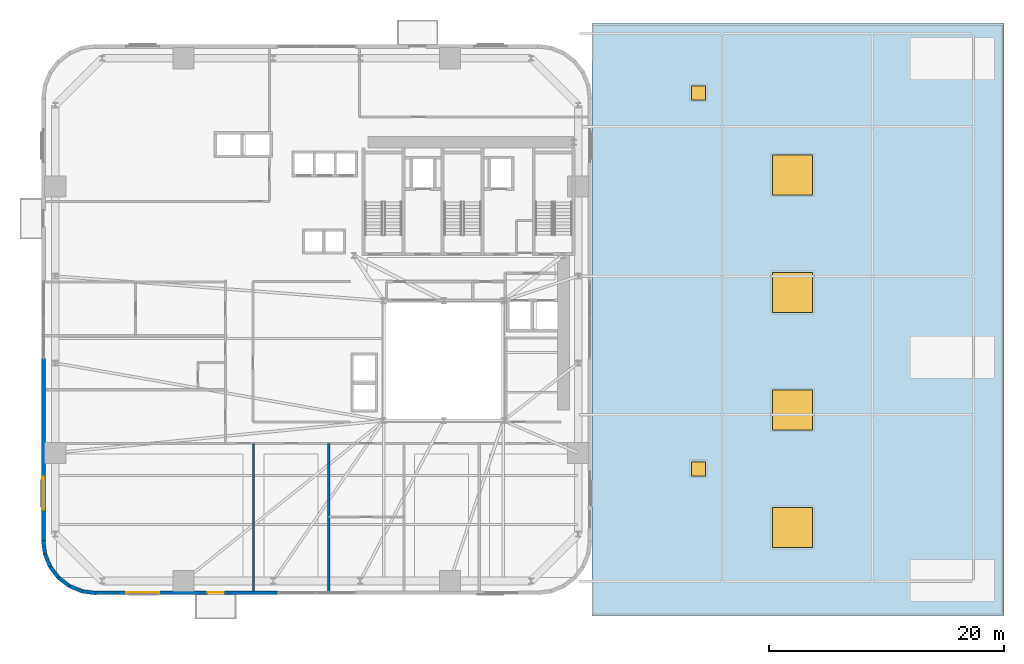
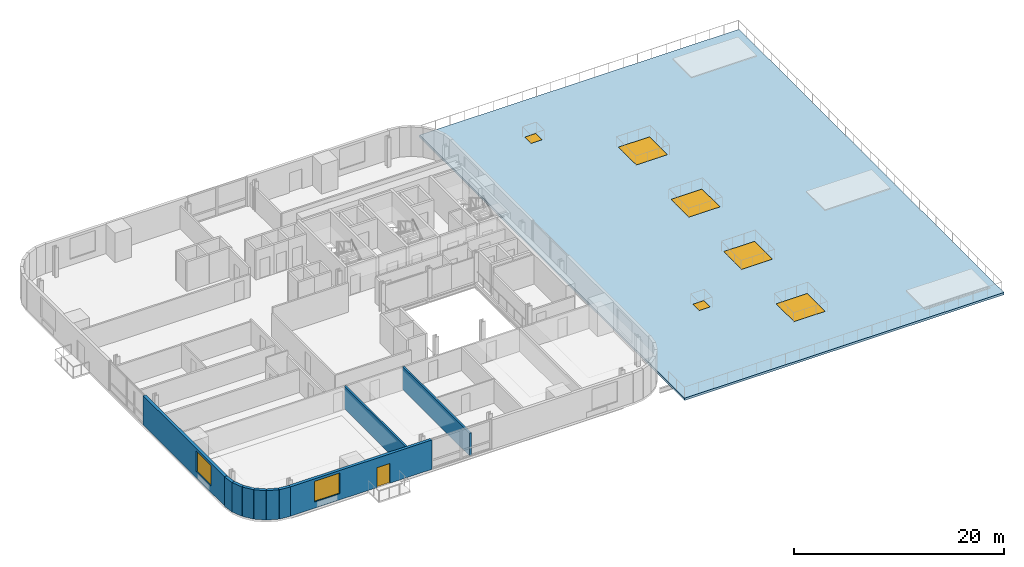
# One storey, part 8 of 18: 10 walls, 8 windows, 1 door, 1 slab, 9 openings.
"""IFC4 building model written with IfcOpenShell, lengths in metres."""

from ifc_helpers import new_model, si_unit, direction, frame, frame_2d, origin, origin_2d, place, context, subcontext, project, spatial, polyline, rectangle, outline, extrude, source, transform, mapped, material, layer, layer_set, type_object, element, fill, save


model = new_model("IFC4")

# Units and contexts
model_context = context("Model", 3, precision=1e-05, world=origin(), true_north=direction((0.0, 1.0)))
body_context = subcontext(model_context, "Body", "Model", "MODEL_VIEW")
ifc_project = project(units=[si_unit("LENGTHUNIT", "METRE"), si_unit("AREAUNIT", "SQUARE_METRE"), si_unit("VOLUMEUNIT", "CUBIC_METRE"), si_unit("PLANEANGLEUNIT", "RADIAN"), si_unit("MASSUNIT", "GRAM", prefix="KILO")], contexts=[model_context])

# Site, building, storey
site_placement = place(None, origin())
site = spatial("IfcSite", under=ifc_project, at=site_placement, CompositionType="ELEMENT")
building_placement = place(site_placement, origin())
building = spatial("IfcBuilding", under=site, at=building_placement, Name="Vardaveli Station Tower", CompositionType="ELEMENT")
storey_placement = place(building_placement, frame((0.0, 0.0, 27.60009765625)))
storey = spatial("IfcBuildingStorey", under=building, at=storey_placement, Name="L06", CompositionType="ELEMENT", Elevation=27.60009765625)

# Slab, openings, windows
ifc_material_1 = material(Name="Concrete C40/50", Category="concrete")
ifc_layer_1 = layer(ifc_material_1, 0.260009765625, Name="Concrete C40/50")
ifc_layer_set_1 = layer_set([ifc_layer_1], Name="Concrete C40/50")
slab_type = type_object("IfcSlabType", Name="SLB-PODROOF-260", PredefinedType="ROOF", material=ifc_layer_set_1)
slab_placement = place(storey_placement, frame((0.0, 0.0, -0.260009765625)))
slab = element("IfcSlab", 1, at=slab_placement, inside=storey, type_object=slab_type, Name="SLB-L05-PODROOF", PredefinedType="ROOF", context=body_context, shape_type="SweptSolid", body=[
    extrude(outline(polyline([(48.919921875, 0.0), (84.0, 0.0), (84.0, 50.39990234375), (48.919921875, 50.39990234375), (48.919921875, 0.0)])), origin(), (0.0, 0.0, 1.0), 0.260009765625),
])
opening_1_placement = place(slab_placement, frame((66.0, 7.5, -0.010009765625)))
opening_1 = element("IfcOpeningElement", 2, at=opening_1_placement, cuts=slab, Name="Opening SK-01", PredefinedType="OPENING", context=body_context, shape_type="SweptSolid", body=[
    extrude(rectangle(XDim=3.39990234375, YDim=3.39990234375, at=origin_2d()), origin(), (0.0, 0.0, 1.0), 0.280029296875),
])
opening_2_placement = place(slab_placement, frame((66.0, 17.5, -0.010009765625)))
opening_2 = element("IfcOpeningElement", 3, at=opening_2_placement, cuts=slab, Name="Opening SK-01", PredefinedType="OPENING", context=body_context, shape_type="SweptSolid", body=[
    extrude(rectangle(XDim=3.39990234375, YDim=3.39990234375, at=origin_2d()), origin(), (0.0, 0.0, 1.0), 0.280029296875),
])
opening_3_placement = place(slab_placement, frame((66.0, 27.5, -0.010009765625)))
opening_3 = element("IfcOpeningElement", 4, at=opening_3_placement, cuts=slab, Name="Opening SK-01", PredefinedType="OPENING", context=body_context, shape_type="SweptSolid", body=[
    extrude(rectangle(XDim=3.39990234375, YDim=3.39990234375, at=origin_2d()), origin(), (0.0, 0.0, 1.0), 0.280029296875),
])
opening_4_placement = place(slab_placement, frame((66.0, 37.5, -0.010009765625)))
opening_4 = element("IfcOpeningElement", 5, at=opening_4_placement, cuts=slab, Name="Opening SK-01", PredefinedType="OPENING", context=body_context, shape_type="SweptSolid", body=[
    extrude(rectangle(XDim=3.39990234375, YDim=3.39990234375, at=origin_2d()), origin(), (0.0, 0.0, 1.0), 0.280029296875),
])
opening_5_placement = place(slab_placement, frame((58.0, 12.5, -0.010009765625)))
opening_5 = element("IfcOpeningElement", 6, at=opening_5_placement, cuts=slab, Name="Opening RH-01", PredefinedType="OPENING", context=body_context, shape_type="SweptSolid", body=[
    extrude(rectangle(XDim=1.199951171875, YDim=1.199951171875, at=origin_2d()), origin(), (0.0, 0.0, 1.0), 0.280029296875),
])
opening_6_placement = place(slab_placement, frame((58.0, 44.5, -0.010009765625)))
opening_6 = element("IfcOpeningElement", 7, at=opening_6_placement, cuts=slab, Name="Opening RH-01", PredefinedType="OPENING", context=body_context, shape_type="SweptSolid", body=[
    extrude(rectangle(XDim=1.199951171875, YDim=1.199951171875, at=origin_2d()), origin(), (0.0, 0.0, 1.0), 0.280029296875),
])
ifc_material_2 = material(Name="Insulated aluminium roof hatch", Category="aluminium")
window_type_1 = type_object("IfcWindowType", Name="SKY-HATCH-1200x1200", PartitioningType="SINGLE_PANEL", PredefinedType="SKYLIGHT", material=ifc_material_2)
window_1_placement = place(slab_placement, frame((58.0, 12.5, 0.2099609375)))
window_1 = element("IfcWindow", 8, at=window_1_placement, inside=storey, type_object=window_type_1, Name="RHT-POD-01", OverallHeight=1.199951171875, OverallWidth=1.199951171875, PartitioningType="SINGLE_PANEL", PredefinedType="SKYLIGHT", context=body_context, shape_type="SweptSolid", body=[
    extrude(rectangle(XDim=1.199951171875, YDim=1.199951171875, at=origin_2d()), origin(), (0.0, 0.0, 1.0), 0.050048828125),
])
fill(opening_5, window_1)
window_2_placement = place(slab_placement, frame((58.0, 44.5, 0.2099609375)))
window_2 = element("IfcWindow", 9, at=window_2_placement, inside=storey, type_object=window_type_1, Name="RHT-POD-02", OverallHeight=1.199951171875, OverallWidth=1.199951171875, PartitioningType="SINGLE_PANEL", PredefinedType="SKYLIGHT", context=body_context, shape_type="SweptSolid", body=[
    extrude(rectangle(XDim=1.199951171875, YDim=1.199951171875, at=origin_2d()), origin(), (0.0, 0.0, 1.0), 0.050048828125),
])
fill(opening_6, window_2)
ifc_material_3 = material(Name="Laminated solar-control skylight glass", Category="glass")
window_type_2 = type_object("IfcWindowType", Name="SKY-POD-3400x3400", PartitioningType="SINGLE_PANEL", PredefinedType="SKYLIGHT", material=ifc_material_3)
window_3_placement = place(slab_placement, frame((66.0, 7.5, 0.2099609375)))
window_3 = element("IfcWindow", 10, at=window_3_placement, inside=storey, type_object=window_type_2, Name="Podium Concourse Skylight 01", OverallHeight=3.39990234375, OverallWidth=3.39990234375, PartitioningType="SINGLE_PANEL", PredefinedType="SKYLIGHT", context=body_context, shape_type="SweptSolid", body=[
    extrude(rectangle(XDim=3.39990234375, YDim=3.39990234375, at=origin_2d()), origin(), (0.0, 0.0, 1.0), 0.050048828125),
])
fill(opening_1, window_3)
window_4_placement = place(slab_placement, frame((66.0, 17.5, 0.2099609375)))
window_4 = element("IfcWindow", 11, at=window_4_placement, inside=storey, type_object=window_type_2, Name="Podium Concourse Skylight 02", OverallHeight=3.39990234375, OverallWidth=3.39990234375, PartitioningType="SINGLE_PANEL", PredefinedType="SKYLIGHT", context=body_context, shape_type="SweptSolid", body=[
    extrude(rectangle(XDim=3.39990234375, YDim=3.39990234375, at=origin_2d()), origin(), (0.0, 0.0, 1.0), 0.050048828125),
])
fill(opening_2, window_4)
window_5_placement = place(slab_placement, frame((66.0, 27.5, 0.2099609375)))
window_5 = element("IfcWindow", 12, at=window_5_placement, inside=storey, type_object=window_type_2, Name="Podium Concourse Skylight 03", OverallHeight=3.39990234375, OverallWidth=3.39990234375, PartitioningType="SINGLE_PANEL", PredefinedType="SKYLIGHT", context=body_context, shape_type="SweptSolid", body=[
    extrude(rectangle(XDim=3.39990234375, YDim=3.39990234375, at=origin_2d()), origin(), (0.0, 0.0, 1.0), 0.050048828125),
])
fill(opening_3, window_5)
window_6_placement = place(slab_placement, frame((66.0, 37.5, 0.2099609375)))
window_6 = element("IfcWindow", 13, at=window_6_placement, inside=storey, type_object=window_type_2, Name="Podium Concourse Skylight 04", OverallHeight=3.39990234375, OverallWidth=3.39990234375, PartitioningType="SINGLE_PANEL", PredefinedType="SKYLIGHT", context=body_context, shape_type="SweptSolid", body=[
    extrude(rectangle(XDim=3.39990234375, YDim=3.39990234375, at=origin_2d()), origin(), (0.0, 0.0, 1.0), 0.050048828125),
])
fill(opening_4, window_6)

# Wall, openings, door, window
ifc_material_4 = material(Name="Precast concrete C45/55", Category="concrete")
ifc_layer_2 = layer(ifc_material_4, 0.320068359375, Name="Precast concrete C45/55")
ifc_layer_set_2 = layer_set([ifc_layer_2], Name="Precast concrete C45/55")
wall_type_1 = type_object("IfcWallType", Name="WAL-EXT-STONE-320", PredefinedType="SOLIDWALL", material=ifc_layer_set_2)
shared_shape_1 = source(origin(), body_context, "Body", "SweptSolid", [
    extrude(rectangle(XDim=15.599853515625, YDim=0.320068359375, at=frame_2d((7.7998046875, 0.0))), origin(), (0.0, 0.0, 1.0), 3.409912109375),
])
wall_1_placement = place(storey_placement, frame((6.60009765625, 1.9599609375, 0.0), z_axis=(0.0, 0.0, 1.0), x_axis=(1.0, 0.0, 0.0)))
wall_1 = element("IfcWall", 14, at=wall_1_placement, inside=storey, type_object=wall_type_1, Name="EW-L06-S1", PredefinedType="SOLIDWALL", context=body_context, shape_type="MappedRepresentation", body=[
    mapped(shared_shape_1, transform((0.0, 0.0, 0.0), scale=1.0)),
])
shared_shape_2 = source(origin(), body_context, "Body", "SweptSolid", [
    extrude(rectangle(XDim=1.39990234375, YDim=2.300048828125, at=frame_2d((0.699951171875, 1.14990234375))), frame((0.0, 0.169921875, 0.0), z_axis=(0.0, -1.0, 0.0), x_axis=(1.0, 0.0, 0.0)), (0.0, 0.0, 1.0), 0.340087890625),
])
opening_7_placement = place(wall_1_placement, frame((9.6103515625, 0.0, 0.0)))
opening_7 = element("IfcOpeningElement", 15, at=opening_7_placement, cuts=wall_1, Name="Opening D-09", PredefinedType="OPENING", context=body_context, shape_type="MappedRepresentation", body=[
    mapped(shared_shape_2, transform((0.0, 0.0, 0.0), scale=1.0)),
])
shared_shape_3 = source(origin(), body_context, "Body", "SweptSolid", [
    extrude(rectangle(XDim=2.800048828125, YDim=2.39990234375, at=frame_2d((1.39990234375, 1.199951171875))), frame((0.0, 0.169921875, 0.0), z_axis=(0.0, -1.0, 0.0), x_axis=(1.0, 0.0, 0.0)), (0.0, 0.0, 1.0), 0.340087890625),
])
opening_8_placement = place(wall_1_placement, frame((2.705078125, 0.0, 0.719970703125)))
opening_8 = element("IfcOpeningElement", 16, at=opening_8_placement, cuts=wall_1, Name="Opening W-04", PredefinedType="OPENING", context=body_context, shape_type="MappedRepresentation", body=[
    mapped(shared_shape_3, transform((0.0, 0.0, 0.0), scale=1.0)),
])
ifc_material_5 = material(Name="Thermally broken aluminium glass", Category="aluminium")
door_type = type_object("IfcDoorType", Name="DR-LOG-1400x2300", OperationType="DOUBLE_DOOR_SLIDING", PredefinedType="DOOR", material=ifc_material_5)
shared_shape_4 = source(origin(), body_context, "Body", "SweptSolid", [
    extrude(rectangle(XDim=1.39990234375, YDim=2.300048828125, at=frame_2d((0.699951171875, 1.14990234375))), frame((0.0, 0.02490234375, 0.0), z_axis=(0.0, -1.0, 0.0), x_axis=(1.0, 0.0, 0.0)), (0.0, 0.0, 1.0), 0.050048828125),
])
door_placement = place(opening_7_placement, frame((1.39990234375, 0.0, 0.0), z_axis=(0.0, 0.0, 1.0), x_axis=(-1.0, 0.0, 0.0)))
door = element("IfcDoor", 17, at=door_placement, inside=storey, type_object=door_type, Name="DLG-L06-S", OperationType="DOUBLE_DOOR_SLIDING", OverallHeight=2.300048828125, OverallWidth=1.39990234375, PredefinedType="DOOR", context=body_context, shape_type="MappedRepresentation", body=[
    mapped(shared_shape_4, transform((0.0, 0.0, 0.0), scale=1.0)),
])
fill(opening_7, door)
ifc_material_6 = material(Name="Low-E solar-control glass", Category="glass")
window_type_3 = type_object("IfcWindowType", Name="WIN-SUITE-2800x2400", PartitioningType="SINGLE_PANEL", PredefinedType="WINDOW", material=ifc_material_6)
shared_shape_5 = source(origin(), body_context, "Body", "SweptSolid", [
    extrude(rectangle(XDim=2.800048828125, YDim=2.39990234375, at=frame_2d((1.39990234375, 1.199951171875))), frame((0.0, 0.030029296875, 0.0), z_axis=(0.0, -1.0, 0.0), x_axis=(1.0, 0.0, 0.0)), (0.0, 0.0, 1.0), 0.06005859375),
])
window_7_placement = place(opening_8_placement, origin())
window_7 = element("IfcWindow", 18, at=window_7_placement, inside=storey, type_object=window_type_3, Name="WN-L06-S1", OverallHeight=2.39990234375, OverallWidth=2.800048828125, PartitioningType="SINGLE_PANEL", PredefinedType="WINDOW", context=body_context, shape_type="MappedRepresentation", body=[
    mapped(shared_shape_5, transform((0.0, 0.0, 0.0), scale=1.0)),
])
fill(opening_8, window_7)

# Wall, opening, window
wall_2_placement = place(storey_placement, frame((2.260009765625, 21.89990234375, 0.0), z_axis=(0.0, 0.0, 1.0), x_axis=(0.0, -1.0, 0.0)))
wall_2 = element("IfcWall", 19, at=wall_2_placement, inside=storey, type_object=wall_type_1, Name="EW-L06-W2", PredefinedType="SOLIDWALL", context=body_context, shape_type="MappedRepresentation", body=[
    mapped(shared_shape_1, transform((0.0, 0.0, 0.0), scale=1.0)),
])
opening_9_placement = place(wall_2_placement, frame((10.094970703125, 0.0, 0.719970703125)))
opening_9 = element("IfcOpeningElement", 20, at=opening_9_placement, cuts=wall_2, Name="Opening W-04", PredefinedType="OPENING", context=body_context, shape_type="MappedRepresentation", body=[
    mapped(shared_shape_3, transform((0.0, 0.0, 0.0), scale=1.0)),
])
window_8_placement = place(opening_9_placement, origin())
window_8 = element("IfcWindow", 21, at=window_8_placement, inside=storey, type_object=window_type_3, Name="WN-L06-W2", OverallHeight=2.39990234375, OverallWidth=2.800048828125, PartitioningType="SINGLE_PANEL", PredefinedType="WINDOW", context=body_context, shape_type="MappedRepresentation", body=[
    mapped(shared_shape_5, transform((0.0, 0.0, 0.0), scale=1.0)),
])
fill(opening_9, window_8)

# Walls
shared_shape_6 = source(origin(), body_context, "Body", "SweptSolid", [
    extrude(rectangle(XDim=1.170654296875, YDim=0.320068359375, at=frame_2d((0.58544921875, 0.0))), origin(), (0.0, 0.0, 1.0), 3.409912109375),
])
wall_3_placement = place(storey_placement, frame((2.224365234375, 6.400634765625, 0.0), z_axis=(0.0, 0.0, 1.0), x_axis=(0.128269133229, -0.991739395941, 0.0)))
element("IfcWall", 22, at=wall_3_placement, inside=storey, type_object=wall_type_1, Name="EW-L06-CR1-1", PredefinedType="SOLIDWALL", context=body_context, shape_type="MappedRepresentation", body=[
    mapped(shared_shape_6, transform((0.0, 0.0, 0.0), scale=1.0)),
])
shared_shape_7 = source(origin(), body_context, "Body", "SweptSolid", [
    extrude(rectangle(XDim=1.1689453125, YDim=0.320068359375, at=frame_2d((0.58447265625, 0.0))), origin(), (0.0, 0.0, 1.0), 3.409912109375),
])
for number, where, z_axis, x_axis, name in (
    (23, (2.37451171875, 5.23974609375, 0.0), (0.0, 0.0, 1.0), (0.381127904695, -0.924522320046, 0.0), "EW-L06-CR1-2"),
    (24, (2.820068359375, 4.158935546875, 0.0), (0.0, 0.0, 1.0), (0.608387696831, -0.793639975269, 0.0), "EW-L06-CR1-3"),
):
    element("IfcWall", number, at=place(storey_placement, frame(where, z_axis=z_axis, x_axis=x_axis)), inside=storey, type_object=wall_type_1, Name=name, PredefinedType="SOLIDWALL", context=body_context, shape_type="MappedRepresentation", body=[
        mapped(shared_shape_7, transform((0.0, 0.0, 0.0), scale=1.0)),
    ])
shared_shape_8 = source(origin(), body_context, "Body", "SweptSolid", [
    extrude(rectangle(XDim=1.168701171875, YDim=0.320068359375, at=frame_2d((0.58447265625, 0.0))), origin(), (0.0, 0.0, 1.0), 3.409912109375),
])
wall_4_placement = place(storey_placement, frame((3.53125, 3.231201171875, 0.0), z_axis=(0.0, 0.0, 1.0), x_axis=(0.793663520347, -0.608356981114, 0.0)))
element("IfcWall", 25, at=wall_4_placement, inside=storey, type_object=wall_type_1, Name="EW-L06-CR1-4", PredefinedType="SOLIDWALL", context=body_context, shape_type="MappedRepresentation", body=[
    mapped(shared_shape_8, transform((0.0, 0.0, 0.0), scale=1.0)),
])
shared_shape_9 = source(origin(), body_context, "Body", "SweptSolid", [
    extrude(rectangle(XDim=1.16943359375, YDim=0.320068359375, at=frame_2d((0.584716796875, 0.0))), origin(), (0.0, 0.0, 1.0), 3.409912109375),
])
wall_5_placement = place(storey_placement, frame((4.458740234375, 2.520263671875, 0.0), z_axis=(0.0, 0.0, 1.0), x_axis=(0.924479075121, -0.381232789334, 0.0)))
element("IfcWall", 26, at=wall_5_placement, inside=storey, type_object=wall_type_1, Name="EW-L06-CR1-5", PredefinedType="SOLIDWALL", context=body_context, shape_type="MappedRepresentation", body=[
    mapped(shared_shape_9, transform((0.0, 0.0, 0.0), scale=1.0)),
])
shared_shape_10 = source(origin(), body_context, "Body", "SweptSolid", [
    extrude(rectangle(XDim=1.170166015625, YDim=0.320068359375, at=frame_2d((0.5849609375, 0.0))), origin(), (0.0, 0.0, 1.0), 3.409912109375),
])
wall_6_placement = place(storey_placement, frame((5.539794921875, 2.074462890625, 0.0), z_axis=(0.0, 0.0, 1.0), x_axis=(0.991762485493, -0.128090485085, 0.0)))
element("IfcWall", 27, at=wall_6_placement, inside=storey, type_object=wall_type_1, Name="EW-L06-CR1-6", PredefinedType="SOLIDWALL", context=body_context, shape_type="MappedRepresentation", body=[
    mapped(shared_shape_10, transform((0.0, 0.0, 0.0), scale=1.0)),
])
ifc_material_7 = material(Name="Acoustic twin-stud gypsum partition")
ifc_layer_3 = layer(ifc_material_7, 0.199951171875, Name="Acoustic twin-stud gypsum partition")
ifc_layer_set_3 = layer_set([ifc_layer_3], Name="Acoustic twin-stud gypsum partition")
wall_type_2 = type_object("IfcWallType", Name="WAL-PARTY-200", PredefinedType="PARTITIONING", material=ifc_layer_set_3)
shared_shape_11 = source(origin(), body_context, "Body", "SweptSolid", [
    extrude(rectangle(XDim=12.537841796875, YDim=0.199951171875, at=frame_2d((6.26904296875, 0.0))), origin(), (0.0, 0.0, 1.0), 2.65185546875),
])
wall_7_placement = place(storey_placement, frame((20.1201171875, 2.1220703125, 0.0), z_axis=(0.0, 0.0, 1.0), x_axis=(0.0, 1.0, 0.0)))
element("IfcWall", 28, at=wall_7_placement, inside=storey, type_object=wall_type_2, Name="W-L06-PS1", PredefinedType="PARTITIONING", context=body_context, shape_type="MappedRepresentation", body=[
    mapped(shared_shape_11, transform((0.0, 0.0, 0.0), scale=1.0)),
])
shared_shape_12 = source(origin(), body_context, "Body", "SweptSolid", [
    extrude(rectangle(XDim=12.72998046875, YDim=0.199951171875, at=frame_2d((6.364990234375, 0.0))), origin(), (0.0, 0.0, 1.0), 2.65185546875),
])
wall_8_placement = place(storey_placement, frame((26.52294921875, 1.929931640625, 0.0), z_axis=(0.0, 0.0, 1.0), x_axis=(0.0, 1.0, 0.0)))
element("IfcWall", 29, at=wall_8_placement, inside=storey, type_object=wall_type_2, Name="W-L06-PS2", PredefinedType="PARTITIONING", context=body_context, shape_type="MappedRepresentation", body=[
    mapped(shared_shape_12, transform((0.0, 0.0, 0.0), scale=1.0)),
])

save(model, "model.ifc")
